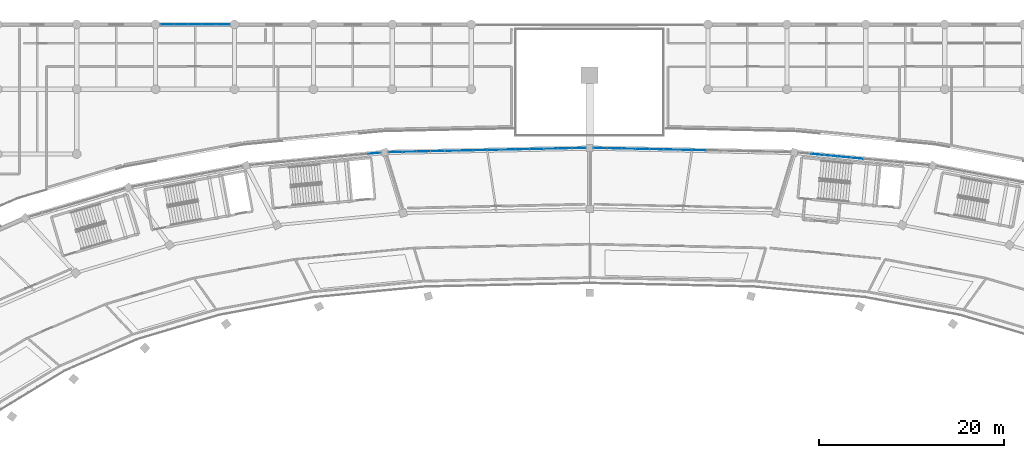
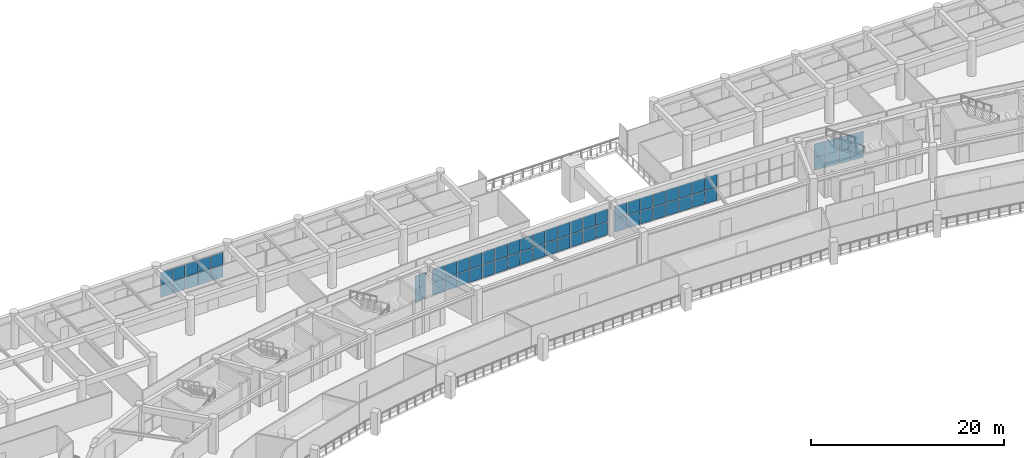
# One storey, part 85 of 141: 64 plates, 5 elements without a shape of their own.
"""IFC4 building model written with IfcOpenShell, lengths in metres."""

from ifc_helpers import new_model, si_unit, direction, frame, origin, origin_2d, place, context, subcontext, project, spatial, rectangle, extrude, material, layer, layer_set, type_object, element, aggregate, save


model = new_model("IFC4")

# Units and contexts
model_context = context("Model", 3, precision=1e-05, world=origin(), true_north=direction((0.0, 1.0)))
body_context = subcontext(model_context, "Body", "Model", "MODEL_VIEW")
ifc_project = project(units=[si_unit("LENGTHUNIT", "METRE"), si_unit("AREAUNIT", "SQUARE_METRE"), si_unit("VOLUMEUNIT", "CUBIC_METRE"), si_unit("PLANEANGLEUNIT", "RADIAN"), si_unit("MASSUNIT", "GRAM", prefix="KILO")], contexts=[model_context])

# Site, building, storey
site_placement = place(None, origin())
site = spatial("IfcSite", under=ifc_project, at=site_placement, CompositionType="ELEMENT")
building_placement = place(site_placement, origin())
building = spatial("IfcBuilding", under=site, at=building_placement, Name="Mphavela Belvedere Stadium", CompositionType="ELEMENT")
storey_placement = place(building_placement, frame((0.0, 0.0, 14.699951171875)))
storey = spatial("IfcBuildingStorey", under=building, at=storey_placement, Name="L03", CompositionType="ELEMENT", Elevation=14.699951171875)

# Curtain wall, plates
ifc_material_1 = material(Name="Anodised bronze unitised curtain wall framing")
ifc_layer_1 = layer(ifc_material_1, 0.18994140625)
ifc_layer_set_1 = layer_set([ifc_layer_1], Name="Anodised bronze unitised curtain wall framing")
curtain_wall_type_1 = type_object("IfcCurtainWallType", Name="CW-UNIT-03", PredefinedType="USERDEFINED", material=ifc_layer_set_1)
curtain_wall_1_placement = place(storey_placement, origin())
curtain_wall_1 = element("IfcCurtainWall", 1, at=curtain_wall_1_placement, inside=storey, type_object=curtain_wall_type_1, Name="Belvedere colonnade curtain wall L03-11", ObjectType="UNITISED CURTAIN WALL", PredefinedType="USERDEFINED")
ifc_material_2 = material(Name="Solar-control double glazing", Category="glass")
ifc_layer_2 = layer(ifc_material_2, 0.031982421875)
ifc_layer_set_2 = layer_set([ifc_layer_2], Name="Solar-control double glazing")
plate_type = type_object("IfcPlateType", Name="CWP-SOLAR-GLASS", PredefinedType="CURTAIN_PANEL", material=ifc_layer_set_2)
plate_1_placement = place(storey_placement, frame((143.8828125, 159.54833984375, 0.06005859375), z_axis=(0.0, 0.0, 1.0), x_axis=(-0.99548400913, 0.094929381996, 0.0)))
plate_1 = element("IfcPlate", 2, at=plate_1_placement, type_object=plate_type, Name="CW-03 panel 6.1", PredefinedType="CURTAIN_PANEL", context=body_context, shape_type="SweptSolid", body=[
    extrude(rectangle(XDim=1.363037109375, YDim=0.031982421875, at=origin_2d()), origin(), (0.0, 0.0, 1.0), 1.6201171875),
])
plate_2_placement = place(storey_placement, frame((143.8828125, 159.54833984375, 1.739990234375), z_axis=(0.0, 0.0, 1.0), x_axis=(-0.99548400913, 0.094929381996, 0.0)))
plate_2 = element("IfcPlate", 3, at=plate_2_placement, type_object=plate_type, Name="CW-03 panel 6.2", PredefinedType="CURTAIN_PANEL", context=body_context, shape_type="SweptSolid", body=[
    extrude(rectangle(XDim=1.363037109375, YDim=0.031982421875, at=origin_2d()), origin(), (0.0, 0.0, 1.0), 1.6201171875),
])
plate_3_placement = place(storey_placement, frame((142.46142578125, 159.683837890625, 0.06005859375), z_axis=(0.0, 0.0, 1.0), x_axis=(-0.99548400913, 0.094929381996, 0.0)))
plate_3 = element("IfcPlate", 4, at=plate_3_placement, type_object=plate_type, Name="CW-03 panel 7.1", PredefinedType="CURTAIN_PANEL", context=body_context, shape_type="SweptSolid", body=[
    extrude(rectangle(XDim=1.363037109375, YDim=0.031982421875, at=origin_2d()), origin(), (0.0, 0.0, 1.0), 1.6201171875),
])
plate_4_placement = place(storey_placement, frame((142.46142578125, 159.683837890625, 1.739990234375), z_axis=(0.0, 0.0, 1.0), x_axis=(-0.99548400913, 0.094929381996, 0.0)))
plate_4 = element("IfcPlate", 5, at=plate_4_placement, type_object=plate_type, Name="CW-03 panel 7.2", PredefinedType="CURTAIN_PANEL", context=body_context, shape_type="SweptSolid", body=[
    extrude(rectangle(XDim=1.363037109375, YDim=0.031982421875, at=origin_2d()), origin(), (0.0, 0.0, 1.0), 1.6201171875),
])
plate_5_placement = place(storey_placement, frame((141.039794921875, 159.819580078125, 0.06005859375), z_axis=(0.0, 0.0, 1.0), x_axis=(-0.99548400913, 0.094929381996, 0.0)))
plate_5 = element("IfcPlate", 6, at=plate_5_placement, type_object=plate_type, Name="CW-03 panel 8.1", PredefinedType="CURTAIN_PANEL", context=body_context, shape_type="SweptSolid", body=[
    extrude(rectangle(XDim=1.363037109375, YDim=0.031982421875, at=origin_2d()), origin(), (0.0, 0.0, 1.0), 1.6201171875),
])
plate_6_placement = place(storey_placement, frame((141.039794921875, 159.819580078125, 1.739990234375), z_axis=(0.0, 0.0, 1.0), x_axis=(-0.99548400913, 0.094929381996, 0.0)))
plate_6 = element("IfcPlate", 7, at=plate_6_placement, type_object=plate_type, Name="CW-03 panel 8.2", PredefinedType="CURTAIN_PANEL", context=body_context, shape_type="SweptSolid", body=[
    extrude(rectangle(XDim=1.363037109375, YDim=0.031982421875, at=origin_2d()), origin(), (0.0, 0.0, 1.0), 1.6201171875),
])
plate_7_placement = place(storey_placement, frame((139.6181640625, 159.955078125, 0.06005859375), z_axis=(0.0, 0.0, 1.0), x_axis=(-0.99548400913, 0.094929381996, 0.0)))
plate_7 = element("IfcPlate", 8, at=plate_7_placement, type_object=plate_type, Name="CW-03 panel 9.1", PredefinedType="CURTAIN_PANEL", context=body_context, shape_type="SweptSolid", body=[
    extrude(rectangle(XDim=1.363037109375, YDim=0.031982421875, at=origin_2d()), origin(), (0.0, 0.0, 1.0), 1.6201171875),
])
plate_8_placement = place(storey_placement, frame((139.6181640625, 159.955078125, 1.739990234375), z_axis=(0.0, 0.0, 1.0), x_axis=(-0.99548400913, 0.094929381996, 0.0)))
plate_8 = element("IfcPlate", 9, at=plate_8_placement, type_object=plate_type, Name="CW-03 panel 9.2", PredefinedType="CURTAIN_PANEL", context=body_context, shape_type="SweptSolid", body=[
    extrude(rectangle(XDim=1.363037109375, YDim=0.031982421875, at=origin_2d()), origin(), (0.0, 0.0, 1.0), 1.6201171875),
])
aggregate(curtain_wall_1, [plate_1, plate_2, plate_3, plate_4, plate_5, plate_6, plate_7, plate_8])

ifc_material_3 = material(Name="Anodised bronze unitised curtain wall framing")
ifc_layer_3 = layer(ifc_material_3, 0.195068359375)
ifc_layer_set_3 = layer_set([ifc_layer_3], Name="Anodised bronze unitised curtain wall framing")
curtain_wall_type_2 = type_object("IfcCurtainWallType", Name="CW-UNIT-04", PredefinedType="USERDEFINED", material=ifc_layer_set_3)
curtain_wall_2_placement = place(storey_placement, origin())
curtain_wall_2 = element("IfcCurtainWall", 10, at=curtain_wall_2_placement, inside=storey, type_object=curtain_wall_type_2, Name="Belvedere colonnade curtain wall L03-12", ObjectType="UNITISED CURTAIN WALL", PredefinedType="USERDEFINED")
plate_9_placement = place(storey_placement, frame((126.820556640625, 160.41552734375, 0.06005859375), z_axis=(0.0, 0.0, 1.0), x_axis=(-0.999768179453, 0.02153107878, 0.0)))
plate_9 = element("IfcPlate", 11, at=plate_9_placement, type_object=plate_type, Name="CW-04 panel 7.1", PredefinedType="CURTAIN_PANEL", context=body_context, shape_type="SweptSolid", body=[
    extrude(rectangle(XDim=1.461669921875, YDim=0.031982421875, at=origin_2d()), origin(), (0.0, 0.0, 1.0), 1.6201171875),
])
plate_10_placement = place(storey_placement, frame((126.820556640625, 160.41552734375, 1.739990234375), z_axis=(0.0, 0.0, 1.0), x_axis=(-0.999768179453, 0.02153107878, 0.0)))
plate_10 = element("IfcPlate", 12, at=plate_10_placement, type_object=plate_type, Name="CW-04 panel 7.2", PredefinedType="CURTAIN_PANEL", context=body_context, shape_type="SweptSolid", body=[
    extrude(rectangle(XDim=1.461669921875, YDim=0.031982421875, at=origin_2d()), origin(), (0.0, 0.0, 1.0), 1.6201171875),
])
plate_11_placement = place(storey_placement, frame((125.294189453125, 160.4482421875, 0.06005859375), z_axis=(0.0, 0.0, 1.0), x_axis=(-0.999768179453, 0.02153107878, 0.0)))
plate_11 = element("IfcPlate", 13, at=plate_11_placement, type_object=plate_type, Name="CW-04 panel 8.1", PredefinedType="CURTAIN_PANEL", context=body_context, shape_type="SweptSolid", body=[
    extrude(rectangle(XDim=1.461669921875, YDim=0.031982421875, at=origin_2d()), origin(), (0.0, 0.0, 1.0), 1.6201171875),
])
plate_12_placement = place(storey_placement, frame((125.294189453125, 160.4482421875, 1.739990234375), z_axis=(0.0, 0.0, 1.0), x_axis=(-0.999768179453, 0.02153107878, 0.0)))
plate_12 = element("IfcPlate", 14, at=plate_12_placement, type_object=plate_type, Name="CW-04 panel 8.2", PredefinedType="CURTAIN_PANEL", context=body_context, shape_type="SweptSolid", body=[
    extrude(rectangle(XDim=1.461669921875, YDim=0.031982421875, at=origin_2d()), origin(), (0.0, 0.0, 1.0), 1.6201171875),
])
plate_13_placement = place(storey_placement, frame((123.767822265625, 160.481201171875, 0.06005859375), z_axis=(0.0, 0.0, 1.0), x_axis=(-0.999768179453, 0.02153107878, 0.0)))
plate_13 = element("IfcPlate", 15, at=plate_13_placement, type_object=plate_type, Name="CW-04 panel 9.1", PredefinedType="CURTAIN_PANEL", context=body_context, shape_type="SweptSolid", body=[
    extrude(rectangle(XDim=1.461669921875, YDim=0.031982421875, at=origin_2d()), origin(), (0.0, 0.0, 1.0), 1.6201171875),
])
plate_14_placement = place(storey_placement, frame((123.767822265625, 160.481201171875, 1.739990234375), z_axis=(0.0, 0.0, 1.0), x_axis=(-0.999768179453, 0.02153107878, 0.0)))
plate_14 = element("IfcPlate", 16, at=plate_14_placement, type_object=plate_type, Name="CW-04 panel 9.2", PredefinedType="CURTAIN_PANEL", context=body_context, shape_type="SweptSolid", body=[
    extrude(rectangle(XDim=1.461669921875, YDim=0.031982421875, at=origin_2d()), origin(), (0.0, 0.0, 1.0), 1.6201171875),
])
plate_15_placement = place(storey_placement, frame((122.241455078125, 160.51416015625, 0.06005859375), z_axis=(0.0, 0.0, 1.0), x_axis=(-0.999768179453, 0.02153107878, 0.0)))
plate_15 = element("IfcPlate", 17, at=plate_15_placement, type_object=plate_type, Name="CW-04 panel 10.1", PredefinedType="CURTAIN_PANEL", context=body_context, shape_type="SweptSolid", body=[
    extrude(rectangle(XDim=1.461669921875, YDim=0.031982421875, at=origin_2d()), origin(), (0.0, 0.0, 1.0), 1.6201171875),
])
plate_16_placement = place(storey_placement, frame((122.241455078125, 160.51416015625, 1.739990234375), z_axis=(0.0, 0.0, 1.0), x_axis=(-0.999768179453, 0.02153107878, 0.0)))
plate_16 = element("IfcPlate", 18, at=plate_16_placement, type_object=plate_type, Name="CW-04 panel 10.2", PredefinedType="CURTAIN_PANEL", context=body_context, shape_type="SweptSolid", body=[
    extrude(rectangle(XDim=1.461669921875, YDim=0.031982421875, at=origin_2d()), origin(), (0.0, 0.0, 1.0), 1.6201171875),
])
plate_17_placement = place(storey_placement, frame((120.715087890625, 160.546875, 0.06005859375), z_axis=(0.0, 0.0, 1.0), x_axis=(-0.999768179453, 0.02153107878, 0.0)))
plate_17 = element("IfcPlate", 19, at=plate_17_placement, type_object=plate_type, Name="CW-04 panel 11.1", PredefinedType="CURTAIN_PANEL", context=body_context, shape_type="SweptSolid", body=[
    extrude(rectangle(XDim=1.461669921875, YDim=0.031982421875, at=origin_2d()), origin(), (0.0, 0.0, 1.0), 1.6201171875),
])
plate_18_placement = place(storey_placement, frame((120.715087890625, 160.546875, 1.739990234375), z_axis=(0.0, 0.0, 1.0), x_axis=(-0.999768179453, 0.02153107878, 0.0)))
plate_18 = element("IfcPlate", 20, at=plate_18_placement, type_object=plate_type, Name="CW-04 panel 11.2", PredefinedType="CURTAIN_PANEL", context=body_context, shape_type="SweptSolid", body=[
    extrude(rectangle(XDim=1.461669921875, YDim=0.031982421875, at=origin_2d()), origin(), (0.0, 0.0, 1.0), 1.6201171875),
])
plate_19_placement = place(storey_placement, frame((119.188720703125, 160.579833984375, 0.06005859375), z_axis=(0.0, 0.0, 1.0), x_axis=(-0.999768179453, 0.02153107878, 0.0)))
plate_19 = element("IfcPlate", 21, at=plate_19_placement, type_object=plate_type, Name="CW-04 panel 12.1", PredefinedType="CURTAIN_PANEL", context=body_context, shape_type="SweptSolid", body=[
    extrude(rectangle(XDim=1.461669921875, YDim=0.031982421875, at=origin_2d()), origin(), (0.0, 0.0, 1.0), 1.6201171875),
])
plate_20_placement = place(storey_placement, frame((119.188720703125, 160.579833984375, 1.739990234375), z_axis=(0.0, 0.0, 1.0), x_axis=(-0.999768179453, 0.02153107878, 0.0)))
plate_20 = element("IfcPlate", 22, at=plate_20_placement, type_object=plate_type, Name="CW-04 panel 12.2", PredefinedType="CURTAIN_PANEL", context=body_context, shape_type="SweptSolid", body=[
    extrude(rectangle(XDim=1.461669921875, YDim=0.031982421875, at=origin_2d()), origin(), (0.0, 0.0, 1.0), 1.6201171875),
])
plate_21_placement = place(storey_placement, frame((117.662353515625, 160.61279296875, 0.06005859375), z_axis=(0.0, 0.0, 1.0), x_axis=(-0.999768179453, 0.02153107878, 0.0)))
plate_21 = element("IfcPlate", 23, at=plate_21_placement, type_object=plate_type, Name="CW-04 panel 13.1", PredefinedType="CURTAIN_PANEL", context=body_context, shape_type="SweptSolid", body=[
    extrude(rectangle(XDim=1.461669921875, YDim=0.031982421875, at=origin_2d()), origin(), (0.0, 0.0, 1.0), 1.6201171875),
])
plate_22_placement = place(storey_placement, frame((117.662353515625, 160.61279296875, 1.739990234375), z_axis=(0.0, 0.0, 1.0), x_axis=(-0.999768179453, 0.02153107878, 0.0)))
plate_22 = element("IfcPlate", 24, at=plate_22_placement, type_object=plate_type, Name="CW-04 panel 13.2", PredefinedType="CURTAIN_PANEL", context=body_context, shape_type="SweptSolid", body=[
    extrude(rectangle(XDim=1.461669921875, YDim=0.031982421875, at=origin_2d()), origin(), (0.0, 0.0, 1.0), 1.6201171875),
])
plate_23_placement = place(storey_placement, frame((116.15234375, 160.645263671875, 0.06005859375), z_axis=(0.0, 0.0, 1.0), x_axis=(-0.999768179453, 0.02153107878, 0.0)))
plate_23 = element("IfcPlate", 25, at=plate_23_placement, type_object=plate_type, Name="CW-04 panel 14.1", PredefinedType="CURTAIN_PANEL", context=body_context, shape_type="SweptSolid", body=[
    extrude(rectangle(XDim=1.42919921875, YDim=0.031982421875, at=origin_2d()), origin(), (0.0, 0.0, 1.0), 1.6201171875),
])
plate_24_placement = place(storey_placement, frame((116.15234375, 160.645263671875, 1.739990234375), z_axis=(0.0, 0.0, 1.0), x_axis=(-0.999768179453, 0.02153107878, 0.0)))
plate_24 = element("IfcPlate", 26, at=plate_24_placement, type_object=plate_type, Name="CW-04 panel 14.2", PredefinedType="CURTAIN_PANEL", context=body_context, shape_type="SweptSolid", body=[
    extrude(rectangle(XDim=1.42919921875, YDim=0.031982421875, at=origin_2d()), origin(), (0.0, 0.0, 1.0), 1.6201171875),
])
aggregate(curtain_wall_2, [plate_9, plate_10, plate_11, plate_12, plate_13, plate_14, plate_15, plate_16, plate_17, plate_18, plate_19, plate_20, plate_21, plate_22, plate_23, plate_24])

ifc_material_4 = material(Name="Anodised bronze unitised curtain wall framing")
ifc_layer_4 = layer(ifc_material_4, 0.199951171875)
ifc_layer_set_4 = layer_set([ifc_layer_4], Name="Anodised bronze unitised curtain wall framing")
curtain_wall_type_3 = type_object("IfcCurtainWallType", Name="CW-UNIT-05", PredefinedType="USERDEFINED", material=ifc_layer_set_4)
curtain_wall_3_placement = place(storey_placement, origin())
curtain_wall_3 = element("IfcCurtainWall", 27, at=curtain_wall_3_placement, inside=storey, type_object=curtain_wall_type_3, Name="Belvedere colonnade curtain wall L03-13", ObjectType="UNITISED CURTAIN WALL", PredefinedType="USERDEFINED")
plate_25_placement = place(storey_placement, frame((113.84765625, 160.645263671875, 0.06005859375), z_axis=(0.0, 0.0, 1.0), x_axis=(-0.999768179453, -0.02153107878, 0.0)))
plate_25 = element("IfcPlate", 28, at=plate_25_placement, type_object=plate_type, Name="CW-05 panel 1.1", PredefinedType="CURTAIN_PANEL", context=body_context, shape_type="SweptSolid", body=[
    extrude(rectangle(XDim=1.42919921875, YDim=0.031982421875, at=origin_2d()), origin(), (0.0, 0.0, 1.0), 1.6201171875),
])
plate_26_placement = place(storey_placement, frame((113.84765625, 160.645263671875, 1.739990234375), z_axis=(0.0, 0.0, 1.0), x_axis=(-0.999768179453, -0.02153107878, 0.0)))
plate_26 = element("IfcPlate", 29, at=plate_26_placement, type_object=plate_type, Name="CW-05 panel 1.2", PredefinedType="CURTAIN_PANEL", context=body_context, shape_type="SweptSolid", body=[
    extrude(rectangle(XDim=1.42919921875, YDim=0.031982421875, at=origin_2d()), origin(), (0.0, 0.0, 1.0), 1.6201171875),
])
plate_27_placement = place(storey_placement, frame((112.337646484375, 160.61279296875, 0.06005859375), z_axis=(0.0, 0.0, 1.0), x_axis=(-0.999768179453, -0.02153107878, 0.0)))
plate_27 = element("IfcPlate", 30, at=plate_27_placement, type_object=plate_type, Name="CW-05 panel 2.1", PredefinedType="CURTAIN_PANEL", context=body_context, shape_type="SweptSolid", body=[
    extrude(rectangle(XDim=1.461669921875, YDim=0.031982421875, at=origin_2d()), origin(), (0.0, 0.0, 1.0), 1.6201171875),
])
plate_28_placement = place(storey_placement, frame((112.337646484375, 160.61279296875, 1.739990234375), z_axis=(0.0, 0.0, 1.0), x_axis=(-0.999768179453, -0.02153107878, 0.0)))
plate_28 = element("IfcPlate", 31, at=plate_28_placement, type_object=plate_type, Name="CW-05 panel 2.2", PredefinedType="CURTAIN_PANEL", context=body_context, shape_type="SweptSolid", body=[
    extrude(rectangle(XDim=1.461669921875, YDim=0.031982421875, at=origin_2d()), origin(), (0.0, 0.0, 1.0), 1.6201171875),
])
plate_29_placement = place(storey_placement, frame((110.811279296875, 160.579833984375, 0.06005859375), z_axis=(0.0, 0.0, 1.0), x_axis=(-0.999768179453, -0.02153107878, 0.0)))
plate_29 = element("IfcPlate", 32, at=plate_29_placement, type_object=plate_type, Name="CW-05 panel 3.1", PredefinedType="CURTAIN_PANEL", context=body_context, shape_type="SweptSolid", body=[
    extrude(rectangle(XDim=1.461669921875, YDim=0.031982421875, at=origin_2d()), origin(), (0.0, 0.0, 1.0), 1.6201171875),
])
plate_30_placement = place(storey_placement, frame((110.811279296875, 160.579833984375, 1.739990234375), z_axis=(0.0, 0.0, 1.0), x_axis=(-0.999768179453, -0.02153107878, 0.0)))
plate_30 = element("IfcPlate", 33, at=plate_30_placement, type_object=plate_type, Name="CW-05 panel 3.2", PredefinedType="CURTAIN_PANEL", context=body_context, shape_type="SweptSolid", body=[
    extrude(rectangle(XDim=1.461669921875, YDim=0.031982421875, at=origin_2d()), origin(), (0.0, 0.0, 1.0), 1.6201171875),
])
plate_31_placement = place(storey_placement, frame((109.284912109375, 160.546875, 0.06005859375), z_axis=(0.0, 0.0, 1.0), x_axis=(-0.999768179453, -0.02153107878, 0.0)))
plate_31 = element("IfcPlate", 34, at=plate_31_placement, type_object=plate_type, Name="CW-05 panel 4.1", PredefinedType="CURTAIN_PANEL", context=body_context, shape_type="SweptSolid", body=[
    extrude(rectangle(XDim=1.461669921875, YDim=0.031982421875, at=origin_2d()), origin(), (0.0, 0.0, 1.0), 1.6201171875),
])
plate_32_placement = place(storey_placement, frame((109.284912109375, 160.546875, 1.739990234375), z_axis=(0.0, 0.0, 1.0), x_axis=(-0.999768179453, -0.02153107878, 0.0)))
plate_32 = element("IfcPlate", 35, at=plate_32_placement, type_object=plate_type, Name="CW-05 panel 4.2", PredefinedType="CURTAIN_PANEL", context=body_context, shape_type="SweptSolid", body=[
    extrude(rectangle(XDim=1.461669921875, YDim=0.031982421875, at=origin_2d()), origin(), (0.0, 0.0, 1.0), 1.6201171875),
])
plate_33_placement = place(storey_placement, frame((107.758544921875, 160.51416015625, 0.06005859375), z_axis=(0.0, 0.0, 1.0), x_axis=(-0.999768179453, -0.02153107878, 0.0)))
plate_33 = element("IfcPlate", 36, at=plate_33_placement, type_object=plate_type, Name="CW-05 panel 5.1", PredefinedType="CURTAIN_PANEL", context=body_context, shape_type="SweptSolid", body=[
    extrude(rectangle(XDim=1.461669921875, YDim=0.031982421875, at=origin_2d()), origin(), (0.0, 0.0, 1.0), 1.6201171875),
])
plate_34_placement = place(storey_placement, frame((107.758544921875, 160.51416015625, 1.739990234375), z_axis=(0.0, 0.0, 1.0), x_axis=(-0.999768179453, -0.02153107878, 0.0)))
plate_34 = element("IfcPlate", 37, at=plate_34_placement, type_object=plate_type, Name="CW-05 panel 5.2", PredefinedType="CURTAIN_PANEL", context=body_context, shape_type="SweptSolid", body=[
    extrude(rectangle(XDim=1.461669921875, YDim=0.031982421875, at=origin_2d()), origin(), (0.0, 0.0, 1.0), 1.6201171875),
])
plate_35_placement = place(storey_placement, frame((106.232177734375, 160.481201171875, 0.06005859375), z_axis=(0.0, 0.0, 1.0), x_axis=(-0.999768179453, -0.02153107878, 0.0)))
plate_35 = element("IfcPlate", 38, at=plate_35_placement, type_object=plate_type, Name="CW-05 panel 6.1", PredefinedType="CURTAIN_PANEL", context=body_context, shape_type="SweptSolid", body=[
    extrude(rectangle(XDim=1.461669921875, YDim=0.031982421875, at=origin_2d()), origin(), (0.0, 0.0, 1.0), 1.6201171875),
])
plate_36_placement = place(storey_placement, frame((106.232177734375, 160.481201171875, 1.739990234375), z_axis=(0.0, 0.0, 1.0), x_axis=(-0.999768179453, -0.02153107878, 0.0)))
plate_36 = element("IfcPlate", 39, at=plate_36_placement, type_object=plate_type, Name="CW-05 panel 6.2", PredefinedType="CURTAIN_PANEL", context=body_context, shape_type="SweptSolid", body=[
    extrude(rectangle(XDim=1.461669921875, YDim=0.031982421875, at=origin_2d()), origin(), (0.0, 0.0, 1.0), 1.6201171875),
])
plate_37_placement = place(storey_placement, frame((104.705810546875, 160.4482421875, 0.06005859375), z_axis=(0.0, 0.0, 1.0), x_axis=(-0.999768179453, -0.02153107878, 0.0)))
plate_37 = element("IfcPlate", 40, at=plate_37_placement, type_object=plate_type, Name="CW-05 panel 7.1", PredefinedType="CURTAIN_PANEL", context=body_context, shape_type="SweptSolid", body=[
    extrude(rectangle(XDim=1.461669921875, YDim=0.031982421875, at=origin_2d()), origin(), (0.0, 0.0, 1.0), 1.6201171875),
])
plate_38_placement = place(storey_placement, frame((104.705810546875, 160.4482421875, 1.739990234375), z_axis=(0.0, 0.0, 1.0), x_axis=(-0.999768179453, -0.02153107878, 0.0)))
plate_38 = element("IfcPlate", 41, at=plate_38_placement, type_object=plate_type, Name="CW-05 panel 7.2", PredefinedType="CURTAIN_PANEL", context=body_context, shape_type="SweptSolid", body=[
    extrude(rectangle(XDim=1.461669921875, YDim=0.031982421875, at=origin_2d()), origin(), (0.0, 0.0, 1.0), 1.6201171875),
])
plate_39_placement = place(storey_placement, frame((103.179443359375, 160.41552734375, 0.06005859375), z_axis=(0.0, 0.0, 1.0), x_axis=(-0.999768179453, -0.02153107878, 0.0)))
plate_39 = element("IfcPlate", 42, at=plate_39_placement, type_object=plate_type, Name="CW-05 panel 8.1", PredefinedType="CURTAIN_PANEL", context=body_context, shape_type="SweptSolid", body=[
    extrude(rectangle(XDim=1.461669921875, YDim=0.031982421875, at=origin_2d()), origin(), (0.0, 0.0, 1.0), 1.6201171875),
])
plate_40_placement = place(storey_placement, frame((103.179443359375, 160.41552734375, 1.739990234375), z_axis=(0.0, 0.0, 1.0), x_axis=(-0.999768179453, -0.02153107878, 0.0)))
plate_40 = element("IfcPlate", 43, at=plate_40_placement, type_object=plate_type, Name="CW-05 panel 8.2", PredefinedType="CURTAIN_PANEL", context=body_context, shape_type="SweptSolid", body=[
    extrude(rectangle(XDim=1.461669921875, YDim=0.031982421875, at=origin_2d()), origin(), (0.0, 0.0, 1.0), 1.6201171875),
])
plate_41_placement = place(storey_placement, frame((101.653076171875, 160.382568359375, 0.06005859375), z_axis=(0.0, 0.0, 1.0), x_axis=(-0.999768179453, -0.02153107878, 0.0)))
plate_41 = element("IfcPlate", 44, at=plate_41_placement, type_object=plate_type, Name="CW-05 panel 9.1", PredefinedType="CURTAIN_PANEL", context=body_context, shape_type="SweptSolid", body=[
    extrude(rectangle(XDim=1.461669921875, YDim=0.031982421875, at=origin_2d()), origin(), (0.0, 0.0, 1.0), 1.6201171875),
])
plate_42_placement = place(storey_placement, frame((101.653076171875, 160.382568359375, 1.739990234375), z_axis=(0.0, 0.0, 1.0), x_axis=(-0.999768179453, -0.02153107878, 0.0)))
plate_42 = element("IfcPlate", 45, at=plate_42_placement, type_object=plate_type, Name="CW-05 panel 9.2", PredefinedType="CURTAIN_PANEL", context=body_context, shape_type="SweptSolid", body=[
    extrude(rectangle(XDim=1.461669921875, YDim=0.031982421875, at=origin_2d()), origin(), (0.0, 0.0, 1.0), 1.6201171875),
])
plate_43_placement = place(storey_placement, frame((100.126953125, 160.349609375, 0.06005859375), z_axis=(0.0, 0.0, 1.0), x_axis=(-0.999768179453, -0.02153107878, 0.0)))
plate_43 = element("IfcPlate", 46, at=plate_43_placement, type_object=plate_type, Name="CW-05 panel 10.1", PredefinedType="CURTAIN_PANEL", context=body_context, shape_type="SweptSolid", body=[
    extrude(rectangle(XDim=1.461669921875, YDim=0.031982421875, at=origin_2d()), origin(), (0.0, 0.0, 1.0), 1.6201171875),
])
plate_44_placement = place(storey_placement, frame((100.126953125, 160.349609375, 1.739990234375), z_axis=(0.0, 0.0, 1.0), x_axis=(-0.999768179453, -0.02153107878, 0.0)))
plate_44 = element("IfcPlate", 47, at=plate_44_placement, type_object=plate_type, Name="CW-05 panel 10.2", PredefinedType="CURTAIN_PANEL", context=body_context, shape_type="SweptSolid", body=[
    extrude(rectangle(XDim=1.461669921875, YDim=0.031982421875, at=origin_2d()), origin(), (0.0, 0.0, 1.0), 1.6201171875),
])
plate_45_placement = place(storey_placement, frame((98.6005859375, 160.31689453125, 0.06005859375), z_axis=(0.0, 0.0, 1.0), x_axis=(-0.999768179453, -0.02153107878, 0.0)))
plate_45 = element("IfcPlate", 48, at=plate_45_placement, type_object=plate_type, Name="CW-05 panel 11.1", PredefinedType="CURTAIN_PANEL", context=body_context, shape_type="SweptSolid", body=[
    extrude(rectangle(XDim=1.461669921875, YDim=0.031982421875, at=origin_2d()), origin(), (0.0, 0.0, 1.0), 1.6201171875),
])
plate_46_placement = place(storey_placement, frame((98.6005859375, 160.31689453125, 1.739990234375), z_axis=(0.0, 0.0, 1.0), x_axis=(-0.999768179453, -0.02153107878, 0.0)))
plate_46 = element("IfcPlate", 49, at=plate_46_placement, type_object=plate_type, Name="CW-05 panel 11.2", PredefinedType="CURTAIN_PANEL", context=body_context, shape_type="SweptSolid", body=[
    extrude(rectangle(XDim=1.461669921875, YDim=0.031982421875, at=origin_2d()), origin(), (0.0, 0.0, 1.0), 1.6201171875),
])
plate_47_placement = place(storey_placement, frame((97.07421875, 160.283935546875, 0.06005859375), z_axis=(0.0, 0.0, 1.0), x_axis=(-0.999768179453, -0.02153107878, 0.0)))
plate_47 = element("IfcPlate", 50, at=plate_47_placement, type_object=plate_type, Name="CW-05 panel 12.1", PredefinedType="CURTAIN_PANEL", context=body_context, shape_type="SweptSolid", body=[
    extrude(rectangle(XDim=1.461669921875, YDim=0.031982421875, at=origin_2d()), origin(), (0.0, 0.0, 1.0), 1.6201171875),
])
plate_48_placement = place(storey_placement, frame((97.07421875, 160.283935546875, 1.739990234375), z_axis=(0.0, 0.0, 1.0), x_axis=(-0.999768179453, -0.02153107878, 0.0)))
plate_48 = element("IfcPlate", 51, at=plate_48_placement, type_object=plate_type, Name="CW-05 panel 12.2", PredefinedType="CURTAIN_PANEL", context=body_context, shape_type="SweptSolid", body=[
    extrude(rectangle(XDim=1.461669921875, YDim=0.031982421875, at=origin_2d()), origin(), (0.0, 0.0, 1.0), 1.6201171875),
])
plate_49_placement = place(storey_placement, frame((95.5478515625, 160.251220703125, 0.06005859375), z_axis=(0.0, 0.0, 1.0), x_axis=(-0.999768179453, -0.02153107878, 0.0)))
plate_49 = element("IfcPlate", 52, at=plate_49_placement, type_object=plate_type, Name="CW-05 panel 13.1", PredefinedType="CURTAIN_PANEL", context=body_context, shape_type="SweptSolid", body=[
    extrude(rectangle(XDim=1.461669921875, YDim=0.031982421875, at=origin_2d()), origin(), (0.0, 0.0, 1.0), 1.6201171875),
])
plate_50_placement = place(storey_placement, frame((95.5478515625, 160.251220703125, 1.739990234375), z_axis=(0.0, 0.0, 1.0), x_axis=(-0.999768179453, -0.02153107878, 0.0)))
plate_50 = element("IfcPlate", 53, at=plate_50_placement, type_object=plate_type, Name="CW-05 panel 13.2", PredefinedType="CURTAIN_PANEL", context=body_context, shape_type="SweptSolid", body=[
    extrude(rectangle(XDim=1.461669921875, YDim=0.031982421875, at=origin_2d()), origin(), (0.0, 0.0, 1.0), 1.6201171875),
])
plate_51_placement = place(storey_placement, frame((94.03759765625, 160.218505859375, 0.06005859375), z_axis=(0.0, 0.0, 1.0), x_axis=(-0.999768179453, -0.02153107878, 0.0)))
plate_51 = element("IfcPlate", 54, at=plate_51_placement, type_object=plate_type, Name="CW-05 panel 14.1", PredefinedType="CURTAIN_PANEL", context=body_context, shape_type="SweptSolid", body=[
    extrude(rectangle(XDim=1.42919921875, YDim=0.031982421875, at=origin_2d()), origin(), (0.0, 0.0, 1.0), 1.6201171875),
])
plate_52_placement = place(storey_placement, frame((94.03759765625, 160.218505859375, 1.739990234375), z_axis=(0.0, 0.0, 1.0), x_axis=(-0.999768179453, -0.02153107878, 0.0)))
plate_52 = element("IfcPlate", 55, at=plate_52_placement, type_object=plate_type, Name="CW-05 panel 14.2", PredefinedType="CURTAIN_PANEL", context=body_context, shape_type="SweptSolid", body=[
    extrude(rectangle(XDim=1.42919921875, YDim=0.031982421875, at=origin_2d()), origin(), (0.0, 0.0, 1.0), 1.6201171875),
])
aggregate(curtain_wall_3, [plate_25, plate_26, plate_27, plate_28, plate_29, plate_30, plate_31, plate_32, plate_33, plate_34, plate_35, plate_36, plate_37, plate_38, plate_39, plate_40, plate_41, plate_42, plate_43, plate_44, plate_45, plate_46, plate_47, plate_48, plate_49, plate_50, plate_51, plate_52])

ifc_material_5 = material(Name="Anodised bronze unitised curtain wall framing")
ifc_layer_5 = layer(ifc_material_5, 0.205078125)
ifc_layer_set_5 = layer_set([ifc_layer_5], Name="Anodised bronze unitised curtain wall framing")
curtain_wall_type_4 = type_object("IfcCurtainWallType", Name="CW-UNIT-06", PredefinedType="USERDEFINED", material=ifc_layer_set_5)
curtain_wall_4_placement = place(storey_placement, origin())
curtain_wall_4 = element("IfcCurtainWall", 56, at=curtain_wall_4_placement, inside=storey, type_object=curtain_wall_type_4, Name="Belvedere colonnade curtain wall L03-14", ObjectType="UNITISED CURTAIN WALL", PredefinedType="USERDEFINED")
plate_53_placement = place(storey_placement, frame((91.787109375, 160.089111328125, 0.06005859375), z_axis=(0.0, 0.0, 1.0), x_axis=(-0.99548400913, -0.094929381996, 0.0)))
plate_53 = element("IfcPlate", 57, at=plate_53_placement, type_object=plate_type, Name="CW-06 panel 1.1", PredefinedType="CURTAIN_PANEL", context=body_context, shape_type="SweptSolid", body=[
    extrude(rectangle(XDim=1.33056640625, YDim=0.031982421875, at=origin_2d()), origin(), (0.0, 0.0, 1.0), 1.6201171875),
])
plate_54_placement = place(storey_placement, frame((91.787109375, 160.089111328125, 1.739990234375), z_axis=(0.0, 0.0, 1.0), x_axis=(-0.99548400913, -0.094929381996, 0.0)))
plate_54 = element("IfcPlate", 58, at=plate_54_placement, type_object=plate_type, Name="CW-06 panel 1.2", PredefinedType="CURTAIN_PANEL", context=body_context, shape_type="SweptSolid", body=[
    extrude(rectangle(XDim=1.33056640625, YDim=0.031982421875, at=origin_2d()), origin(), (0.0, 0.0, 1.0), 1.6201171875),
])
aggregate(curtain_wall_4, [plate_53, plate_54])

ifc_material_6 = material(Name="Anodised bronze unitised curtain wall framing")
ifc_layer_6 = layer(ifc_material_6, 0.18505859375)
ifc_layer_set_6 = layer_set([ifc_layer_6], Name="Anodised bronze unitised curtain wall framing")
curtain_wall_type_5 = type_object("IfcCurtainWallType", Name="CW-UNIT-02", PredefinedType="USERDEFINED", material=ifc_layer_set_6)
curtain_wall_5_placement = place(storey_placement, origin())
curtain_wall_5 = element("IfcCurtainWall", 59, at=curtain_wall_5_placement, inside=storey, type_object=curtain_wall_type_5, Name="North Mast and Ceremonial End Forecourt gallery curtain wall L03-09", ObjectType="UNITISED CURTAIN WALL", PredefinedType="USERDEFINED")
plate_55_placement = place(storey_placement, frame((69.39453125, 174.0, 0.06005859375), z_axis=(0.0, 0.0, 1.0), x_axis=(1.0, 0.0, 0.0)))
plate_55 = element("IfcPlate", 60, at=plate_55_placement, type_object=plate_type, Name="CW-02 panel 1.1", PredefinedType="CURTAIN_PANEL", context=body_context, shape_type="SweptSolid", body=[
    extrude(rectangle(XDim=1.4169921875, YDim=0.031982421875, at=origin_2d()), origin(), (0.0, 0.0, 1.0), 1.5400390625),
])
plate_56_placement = place(storey_placement, frame((69.39453125, 174.0, 1.659912109375), z_axis=(0.0, 0.0, 1.0), x_axis=(1.0, 0.0, 0.0)))
plate_56 = element("IfcPlate", 61, at=plate_56_placement, type_object=plate_type, Name="CW-02 panel 1.2", PredefinedType="CURTAIN_PANEL", context=body_context, shape_type="SweptSolid", body=[
    extrude(rectangle(XDim=1.4169921875, YDim=0.031982421875, at=origin_2d()), origin(), (0.0, 0.0, 1.0), 1.5400390625),
])
plate_57_placement = place(storey_placement, frame((70.892822265625, 174.0, 0.06005859375), z_axis=(0.0, 0.0, 1.0), x_axis=(1.0, 0.0, 0.0)))
plate_57 = element("IfcPlate", 62, at=plate_57_placement, type_object=plate_type, Name="CW-02 panel 2.1", PredefinedType="CURTAIN_PANEL", context=body_context, shape_type="SweptSolid", body=[
    extrude(rectangle(XDim=1.44970703125, YDim=0.031982421875, at=origin_2d()), origin(), (0.0, 0.0, 1.0), 1.5400390625),
])
plate_58_placement = place(storey_placement, frame((70.892822265625, 174.0, 1.659912109375), z_axis=(0.0, 0.0, 1.0), x_axis=(1.0, 0.0, 0.0)))
plate_58 = element("IfcPlate", 63, at=plate_58_placement, type_object=plate_type, Name="CW-02 panel 2.2", PredefinedType="CURTAIN_PANEL", context=body_context, shape_type="SweptSolid", body=[
    extrude(rectangle(XDim=1.44970703125, YDim=0.031982421875, at=origin_2d()), origin(), (0.0, 0.0, 1.0), 1.5400390625),
])
plate_59_placement = place(storey_placement, frame((72.407470703125, 174.0, 0.06005859375), z_axis=(0.0, 0.0, 1.0), x_axis=(1.0, 0.0, 0.0)))
plate_59 = element("IfcPlate", 64, at=plate_59_placement, type_object=plate_type, Name="CW-02 panel 3.1", PredefinedType="CURTAIN_PANEL", context=body_context, shape_type="SweptSolid", body=[
    extrude(rectangle(XDim=1.44970703125, YDim=0.031982421875, at=origin_2d()), origin(), (0.0, 0.0, 1.0), 1.5400390625),
])
plate_60_placement = place(storey_placement, frame((72.407470703125, 174.0, 1.659912109375), z_axis=(0.0, 0.0, 1.0), x_axis=(1.0, 0.0, 0.0)))
plate_60 = element("IfcPlate", 65, at=plate_60_placement, type_object=plate_type, Name="CW-02 panel 3.2", PredefinedType="CURTAIN_PANEL", context=body_context, shape_type="SweptSolid", body=[
    extrude(rectangle(XDim=1.44970703125, YDim=0.031982421875, at=origin_2d()), origin(), (0.0, 0.0, 1.0), 1.5400390625),
])
plate_61_placement = place(storey_placement, frame((73.922119140625, 174.0, 0.06005859375), z_axis=(0.0, 0.0, 1.0), x_axis=(1.0, 0.0, 0.0)))
plate_61 = element("IfcPlate", 66, at=plate_61_placement, type_object=plate_type, Name="CW-02 panel 4.1", PredefinedType="CURTAIN_PANEL", context=body_context, shape_type="SweptSolid", body=[
    extrude(rectangle(XDim=1.44970703125, YDim=0.031982421875, at=origin_2d()), origin(), (0.0, 0.0, 1.0), 1.5400390625),
])
plate_62_placement = place(storey_placement, frame((73.922119140625, 174.0, 1.659912109375), z_axis=(0.0, 0.0, 1.0), x_axis=(1.0, 0.0, 0.0)))
plate_62 = element("IfcPlate", 67, at=plate_62_placement, type_object=plate_type, Name="CW-02 panel 4.2", PredefinedType="CURTAIN_PANEL", context=body_context, shape_type="SweptSolid", body=[
    extrude(rectangle(XDim=1.44970703125, YDim=0.031982421875, at=origin_2d()), origin(), (0.0, 0.0, 1.0), 1.5400390625),
])
plate_63_placement = place(storey_placement, frame((75.42041015625, 174.0, 0.06005859375), z_axis=(0.0, 0.0, 1.0), x_axis=(1.0, 0.0, 0.0)))
plate_63 = element("IfcPlate", 68, at=plate_63_placement, type_object=plate_type, Name="CW-02 panel 5.1", PredefinedType="CURTAIN_PANEL", context=body_context, shape_type="SweptSolid", body=[
    extrude(rectangle(XDim=1.4169921875, YDim=0.031982421875, at=origin_2d()), origin(), (0.0, 0.0, 1.0), 1.5400390625),
])
plate_64_placement = place(storey_placement, frame((75.42041015625, 174.0, 1.659912109375), z_axis=(0.0, 0.0, 1.0), x_axis=(1.0, 0.0, 0.0)))
plate_64 = element("IfcPlate", 69, at=plate_64_placement, type_object=plate_type, Name="CW-02 panel 5.2", PredefinedType="CURTAIN_PANEL", context=body_context, shape_type="SweptSolid", body=[
    extrude(rectangle(XDim=1.4169921875, YDim=0.031982421875, at=origin_2d()), origin(), (0.0, 0.0, 1.0), 1.5400390625),
])
aggregate(curtain_wall_5, [plate_55, plate_56, plate_57, plate_58, plate_59, plate_60, plate_61, plate_62, plate_63, plate_64])

save(model, "model.ifc")
